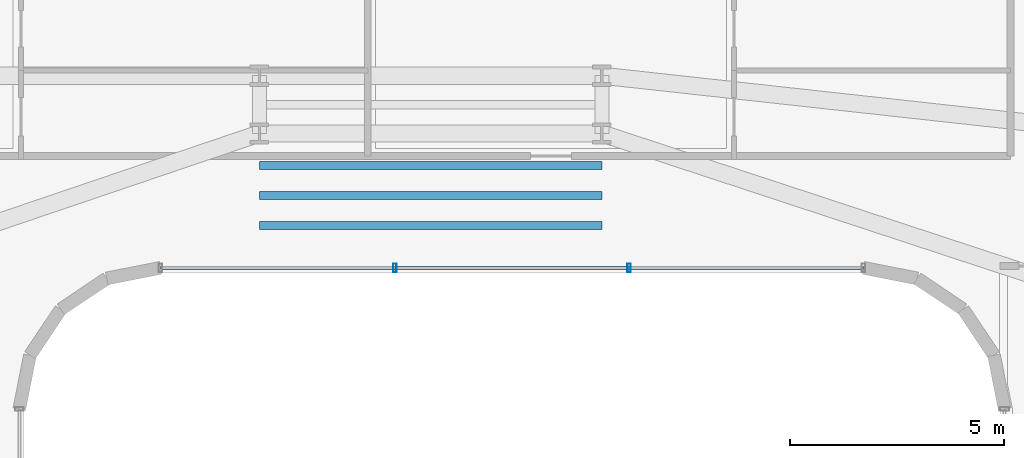
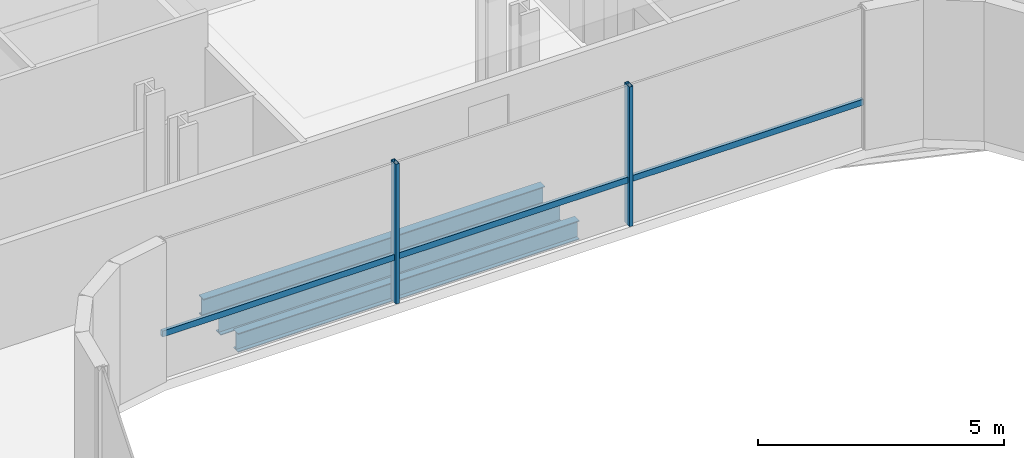
# One storey, part 14 of 40: 3 beams, 3 members, 1 element without a shape of its own.
"""IFC4 building model written with IfcOpenShell, lengths in metres."""

from ifc_helpers import new_model, si_unit, direction, frame, origin, origin_2d, place, context, subcontext, project, spatial, hollow_rectangle, i_section, extrude, source, transform, mapped, material, material_profile, profile_set, type_object, element, aggregate, save


model = new_model("IFC4")

# Units and contexts
model_context = context("Model", 3, precision=1e-05, world=origin(), true_north=direction((0.0, 1.0)))
body_context = subcontext(model_context, "Body", "Model", "MODEL_VIEW")
ifc_project = project(units=[si_unit("LENGTHUNIT", "METRE"), si_unit("AREAUNIT", "SQUARE_METRE"), si_unit("VOLUMEUNIT", "CUBIC_METRE"), si_unit("PLANEANGLEUNIT", "RADIAN"), si_unit("MASSUNIT", "GRAM", prefix="KILO")], contexts=[model_context])

# Site, building, storey
site_placement = place(None, origin())
site = spatial("IfcSite", under=ifc_project, at=site_placement, CompositionType="ELEMENT")
building_placement = place(site_placement, origin())
building = spatial("IfcBuilding", under=site, at=building_placement, Name="Valdorenza Pilgrim Sanctuary Tower", CompositionType="ELEMENT")
storey_placement = place(building_placement, frame((0.0, 0.0, 44.5)))
storey = spatial("IfcBuildingStorey", under=building, at=storey_placement, Name="L10", CompositionType="ELEMENT", Elevation=44.5)

# Beams
ifc_material_1 = material(Name="Steel ASTM A992 Grade 50", Category="steel")
ifc_material_profile_1 = material_profile(ifc_material_1, i_section(OverallWidth=0.193115234375, OverallDepth=0.466064453125, WebThickness=0.011474609375, FlangeThickness=0.01904296875, at=origin_2d()), Name="W18X65")
ifc_profile_set_1 = profile_set([ifc_material_profile_1], Name="Steel ASTM A992 Grade 50")
beam_type = type_object("IfcBeamType", Name="STR-BM-JST-W18A", PredefinedType="JOIST", material=ifc_profile_set_1)
shared_shape_1 = source(origin(), body_context, "Body", "SweptSolid", [
    extrude(i_section(OverallWidth=0.193115234375, OverallDepth=0.466064453125, WebThickness=0.011474609375, FlangeThickness=0.01904296875, at=origin_2d()), origin(), (0.0, 0.0, 1.0), 8.0),
])
for number, where, z_axis, x_axis, name in (
    (1, (-4.0, 11.300048828125, -0.472900390625), (1.0, 0.0, 0.0), (0.0, 1.0, 0.0), "L10 Knuckle Composite Joist JST-KNK-1"),
    (2, (-4.0, 12.0, -0.472900390625), (1.0, 0.0, 0.0), (0.0, 1.0, 0.0), "L10 Knuckle Composite Joist JST-KNK-2"),
    (3, (-4.0, 12.699951171875, -0.472900390625), (1.0, 0.0, 0.0), (0.0, 1.0, 0.0), "L10 Knuckle Composite Joist JST-KNK-3"),
):
    element("IfcBeam", number, at=place(storey_placement, frame(where, z_axis=z_axis, x_axis=x_axis)), inside=storey, type_object=beam_type, Name=name, PredefinedType="JOIST", context=body_context, shape_type="MappedRepresentation", body=[
        mapped(shared_shape_1, transform((0.0, 0.0, 0.0), x_axis=(1.0, 0.0, 0.0), y_axis=(0.0, 1.0, 0.0), z_axis=(0.0, 0.0, 1.0), scale=1.0)),
    ])

# Curtain wall, members
ifc_material_2 = material(Name="Curtain-wall IGU glazing", Category="glass")
curtain_wall_type = type_object("IfcCurtainWallType", Name="CW-SYS-02", PredefinedType="NOTDEFINED", material=ifc_material_2)
curtain_wall_placement = place(storey_placement, origin())
curtain_wall = element("IfcCurtainWall", 4, at=curtain_wall_placement, inside=storey, type_object=curtain_wall_type, Name="L10 Curtain Wall CW-L10-1-36", PredefinedType="NOTDEFINED")
ifc_material_3 = material(Name="Anodised aluminium AW-6060", Category="aluminium")
ifc_material_profile_2 = material_profile(ifc_material_3, hollow_rectangle(XDim=0.0849609375, YDim=0.199951171875, WallThickness=0.0048828125, at=origin_2d()), Name="ALU-M 200x85x5")
ifc_profile_set_2 = profile_set([ifc_material_profile_2], Name="Anodised aluminium AW-6060")
member_type_1 = type_object("IfcMemberType", Name="CW-MUL-02", PredefinedType="MULLION", material=ifc_profile_set_2)
shared_shape_2 = source(origin(), body_context, "Body", "SweptSolid", [
    extrude(hollow_rectangle(XDim=0.0849609375, YDim=0.199951171875, WallThickness=0.0048828125, at=origin_2d()), origin(), (0.0, 0.0, 1.0), 3.4599609375),
])
member_1_placement = place(storey_placement, frame((4.636962890625, 10.31005859375, 0.0), z_axis=(0.0, 0.0, 1.0), x_axis=(-1.0, 0.0, 0.0)))
member_1 = element("IfcMember", 5, at=member_1_placement, type_object=member_type_1, Name="CW-L10-1-36 Mullion 2", PredefinedType="MULLION", context=body_context, shape_type="MappedRepresentation", body=[
    mapped(shared_shape_2, transform((0.0, 0.0, 0.0), x_axis=(1.0, 0.0, 0.0), y_axis=(0.0, 1.0, 0.0), z_axis=(0.0, 0.0, 1.0), scale=1.0)),
])
member_2_placement = place(storey_placement, frame((-0.8369140625, 10.31005859375, 0.0), z_axis=(0.0, 0.0, 1.0), x_axis=(-1.0, 0.0, 0.0)))
member_2 = element("IfcMember", 6, at=member_2_placement, type_object=member_type_1, Name="CW-L10-1-36 Mullion 3", PredefinedType="MULLION", context=body_context, shape_type="MappedRepresentation", body=[
    mapped(shared_shape_2, transform((0.0, 0.0, 0.0), x_axis=(1.0, 0.0, 0.0), y_axis=(0.0, 1.0, 0.0), z_axis=(0.0, 0.0, 1.0), scale=1.0)),
])
ifc_material_profile_3 = material_profile(ifc_material_3, hollow_rectangle(XDim=0.074951171875, YDim=0.14990234375, WallThickness=0.00390625, at=origin_2d()), Name="ALU-T 150x75x4")
ifc_profile_set_3 = profile_set([ifc_material_profile_3], Name="Anodised aluminium AW-6060")
member_type_2 = type_object("IfcMemberType", Name="CW-TRN-02", PredefinedType="USERDEFINED", material=ifc_profile_set_3)
shared_shape_3 = source(origin(), body_context, "Body", "SweptSolid", [
    extrude(hollow_rectangle(XDim=0.074951171875, YDim=0.14990234375, WallThickness=0.00390625, at=origin_2d()), origin(), (0.0, 0.0, 1.0), 16.421630859375),
])
member_3_placement = place(storey_placement, frame((10.11083984375, 10.31005859375, 1.1201171875), z_axis=(-1.0, 0.0, 0.0), x_axis=(0.0, -1.0, 0.0)))
member_3 = element("IfcMember", 7, at=member_3_placement, type_object=member_type_2, Name="CW-L10-1-36 Transom 1", ObjectType="TRANSOM", PredefinedType="USERDEFINED", context=body_context, shape_type="MappedRepresentation", body=[
    mapped(shared_shape_3, transform((0.0, 0.0, 0.0), x_axis=(1.0, 0.0, 0.0), y_axis=(0.0, 1.0, 0.0), z_axis=(0.0, 0.0, 1.0), scale=1.0)),
])
aggregate(curtain_wall, [member_1, member_2, member_3])

save(model, "model.ifc")
